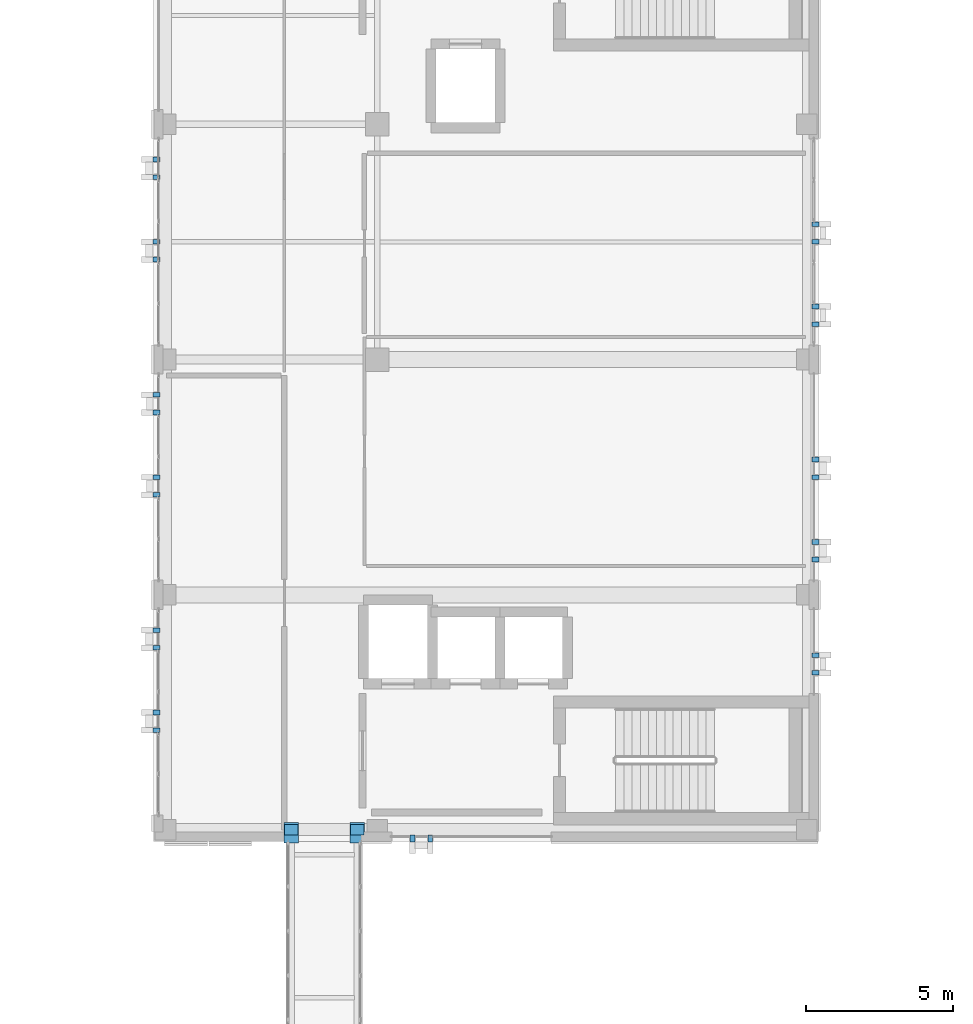
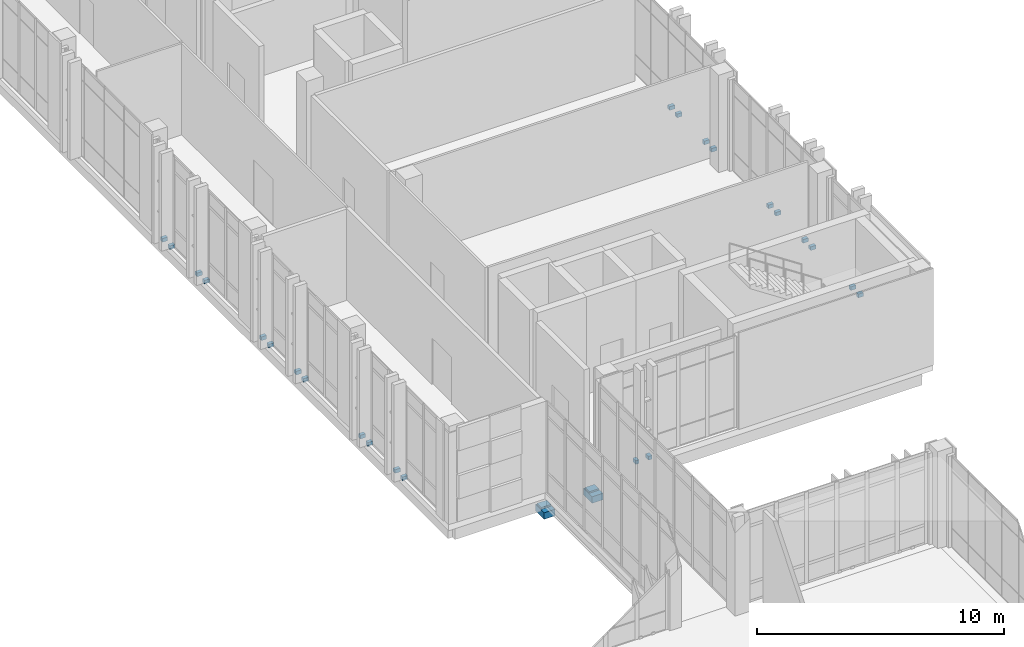
# One storey, part 164 of 189: 28 discrete accessories.
"""IFC4 building model written with IfcOpenShell, lengths in metres."""

from ifc_helpers import new_model, si_unit, direction, frame, origin, origin_2d, place, context, subcontext, project, spatial, rectangle, extrude, material, type_object, element, save


model = new_model("IFC4")

# Units and contexts
model_context = context("Model", 3, precision=1e-05, world=origin(), true_north=direction((0.0, 1.0)))
body_context = subcontext(model_context, "Body", "Model", "MODEL_VIEW")
ifc_project = project(units=[si_unit("LENGTHUNIT", "METRE"), si_unit("AREAUNIT", "SQUARE_METRE"), si_unit("VOLUMEUNIT", "CUBIC_METRE"), si_unit("PLANEANGLEUNIT", "RADIAN"), si_unit("MASSUNIT", "GRAM", prefix="KILO")], contexts=[model_context])

# Site, building, storey
site_placement = place(None, origin())
site = spatial("IfcSite", under=ifc_project, at=site_placement, CompositionType="ELEMENT")
building_placement = place(site_placement, origin())
building = spatial("IfcBuilding", under=site, at=building_placement, Name="Qalavern Law Courts", CompositionType="ELEMENT")
storey_placement = place(building_placement, frame((0.0, 0.0, 5.39990234375)))
storey = spatial("IfcBuildingStorey", under=building, at=storey_placement, Name="L01", CompositionType="ELEMENT", Elevation=5.39990234375)

# Discrete accessories
ifc_material_1 = material(Name="Steel S355", Category="steel")
discrete_accessory_type_1 = type_object("IfcDiscreteAccessoryType", Name="ENV-BRK-FIN", PredefinedType="BRACKET", material=ifc_material_1)
for number, where, z_axis, x_axis, name in (
    (1, (93.0, 41.12255859375, -0.06982421875), (0.0, 0.0, 1.0), (0.0, -1.0, 0.0), "Stone blade anchor bracket 0535"),
    (2, (93.60009765625, 41.12255859375, -0.06982421875), (0.0, 0.0, 1.0), (0.0, -1.0, 0.0), "Stone blade anchor bracket 0536"),
    (3, (106.697509765625, 46.75, -0.06982421875), (0.0, 0.0, 1.0), (1.0, 0.0, 0.0), "Stone blade anchor bracket 0537"),
    (4, (106.697509765625, 47.35009765625, -0.06982421875), (0.0, 0.0, 1.0), (1.0, 0.0, 0.0), "Stone blade anchor bracket 0538"),
    (5, (106.697509765625, 50.60009765625, -0.06982421875), (0.0, 0.0, 1.0), (1.0, 0.0, 0.0), "Stone blade anchor bracket 0539"),
    (6, (106.697509765625, 51.199951171875, -0.06982421875), (0.0, 0.0, 1.0), (1.0, 0.0, 0.0), "Stone blade anchor bracket 0540"),
    (7, (106.697509765625, 53.39990234375, -0.06982421875), (0.0, 0.0, 1.0), (1.0, 0.0, 0.0), "Stone blade anchor bracket 0541"),
    (8, (106.697509765625, 54.0, -0.06982421875), (0.0, 0.0, 1.0), (1.0, 0.0, 0.0), "Stone blade anchor bracket 0542"),
    (9, (106.697509765625, 58.60009765625, -0.06982421875), (0.0, 0.0, 1.0), (1.0, 0.0, 0.0), "Stone blade anchor bracket 0543"),
    (10, (106.697509765625, 59.199951171875, -0.06982421875), (0.0, 0.0, 1.0), (1.0, 0.0, 0.0), "Stone blade anchor bracket 0544"),
    (11, (106.697509765625, 61.39990234375, -0.06982421875), (0.0, 0.0, 1.0), (1.0, 0.0, 0.0), "Stone blade anchor bracket 0545"),
    (12, (106.697509765625, 62.0, -0.06982421875), (0.0, 0.0, 1.0), (1.0, 0.0, 0.0), "Stone blade anchor bracket 0546"),
    (13, (84.302490234375, 64.199951171875, -0.06982421875), (0.0, 0.0, 1.0), (-1.0, 0.0, 0.0), "Stone blade anchor bracket 0567"),
    (14, (84.302490234375, 63.60009765625, -0.06982421875), (0.0, 0.0, 1.0), (-1.0, 0.0, 0.0), "Stone blade anchor bracket 0568"),
    (15, (84.302490234375, 61.39990234375, -0.06982421875), (0.0, 0.0, 1.0), (-1.0, 0.0, 0.0), "Stone blade anchor bracket 0569"),
    (16, (84.302490234375, 60.800048828125, -0.06982421875), (0.0, 0.0, 1.0), (-1.0, 0.0, 0.0), "Stone blade anchor bracket 0570"),
    (17, (84.302490234375, 56.199951171875, -0.06982421875), (0.0, 0.0, 1.0), (-1.0, 0.0, 0.0), "Stone blade anchor bracket 0571"),
    (18, (84.302490234375, 55.60009765625, -0.06982421875), (0.0, 0.0, 1.0), (-1.0, 0.0, 0.0), "Stone blade anchor bracket 0572"),
    (19, (84.302490234375, 53.39990234375, -0.06982421875), (0.0, 0.0, 1.0), (-1.0, 0.0, 0.0), "Stone blade anchor bracket 0573"),
    (20, (84.302490234375, 52.800048828125, -0.06982421875), (0.0, 0.0, 1.0), (-1.0, 0.0, 0.0), "Stone blade anchor bracket 0574"),
    (21, (84.302490234375, 48.199951171875, -0.06982421875), (0.0, 0.0, 1.0), (-1.0, 0.0, 0.0), "Stone blade anchor bracket 0575"),
    (22, (84.302490234375, 47.60009765625, -0.06982421875), (0.0, 0.0, 1.0), (-1.0, 0.0, 0.0), "Stone blade anchor bracket 0576"),
    (23, (84.302490234375, 45.39990234375, -0.06982421875), (0.0, 0.0, 1.0), (-1.0, 0.0, 0.0), "Stone blade anchor bracket 0577"),
    (24, (84.302490234375, 44.800048828125, -0.06982421875), (0.0, 0.0, 1.0), (-1.0, 0.0, 0.0), "Stone blade anchor bracket 0578"),
):
    element("IfcDiscreteAccessory", number, at=place(storey_placement, frame(where, z_axis=z_axis, x_axis=x_axis)), inside=storey, type_object=discrete_accessory_type_1, Name=name, PredefinedType="BRACKET", context=body_context, shape_type="SweptSolid", body=[
        extrude(rectangle(XDim=0.239990234375, YDim=0.159912109375, at=origin_2d()), origin(), (0.0, 0.0, 1.0), 0.179931640625),
    ])
ifc_material_2 = material(Name="Concrete C45/55", Category="concrete")
discrete_accessory_type_2 = type_object("IfcDiscreteAccessoryType", Name="STR-CORBEL-700", PredefinedType="BRACKET", material=ifc_material_2)
for number, where, z_axis, x_axis, name in (
    (25, (88.8798828125, 41.320068359375, -1.25), (0.0, 0.0, 1.0), (1.0, 0.0, 0.0), "Bridge BR-V2-V4 700 mm corbel seat 1 L01"),
    (26, (91.1201171875, 41.320068359375, -1.25), (0.0, 0.0, 1.0), (1.0, 0.0, 0.0), "Bridge BR-V2-V4 700 mm corbel seat 2 L01"),
):
    element("IfcDiscreteAccessory", number, at=place(storey_placement, frame(where, z_axis=z_axis, x_axis=x_axis)), inside=storey, type_object=discrete_accessory_type_2, Name=name, PredefinedType="BRACKET", context=body_context, shape_type="SweptSolid", body=[
        extrude(rectangle(XDim=0.5, YDim=0.699951171875, at=origin_2d()), origin(), (0.0, 0.0, 1.0), 0.320068359375),
    ])
discrete_accessory_type_3 = type_object("IfcDiscreteAccessoryType", Name="STR-SHOE-PTFE350", PredefinedType="SHOE", material=ifc_material_1)
for number, where, z_axis, x_axis, name in (
    (27, (88.8798828125, 41.419921875, -0.929931640625), (0.0, 0.0, 1.0), (1.0, 0.0, 0.0), "Seismic bridge PTFE sliding bearing 35"),
    (28, (91.1201171875, 41.419921875, -0.929931640625), (0.0, 0.0, 1.0), (1.0, 0.0, 0.0), "Seismic bridge PTFE sliding bearing 36"),
):
    element("IfcDiscreteAccessory", number, at=place(storey_placement, frame(where, z_axis=z_axis, x_axis=x_axis)), inside=storey, type_object=discrete_accessory_type_3, Name=name, PredefinedType="SHOE", context=body_context, shape_type="SweptSolid", body=[
        extrude(rectangle(XDim=0.449951171875, YDim=0.35009765625, at=origin_2d()), origin(), (0.0, 0.0, 1.0), 0.080078125),
    ])

save(model, "model.ifc")
